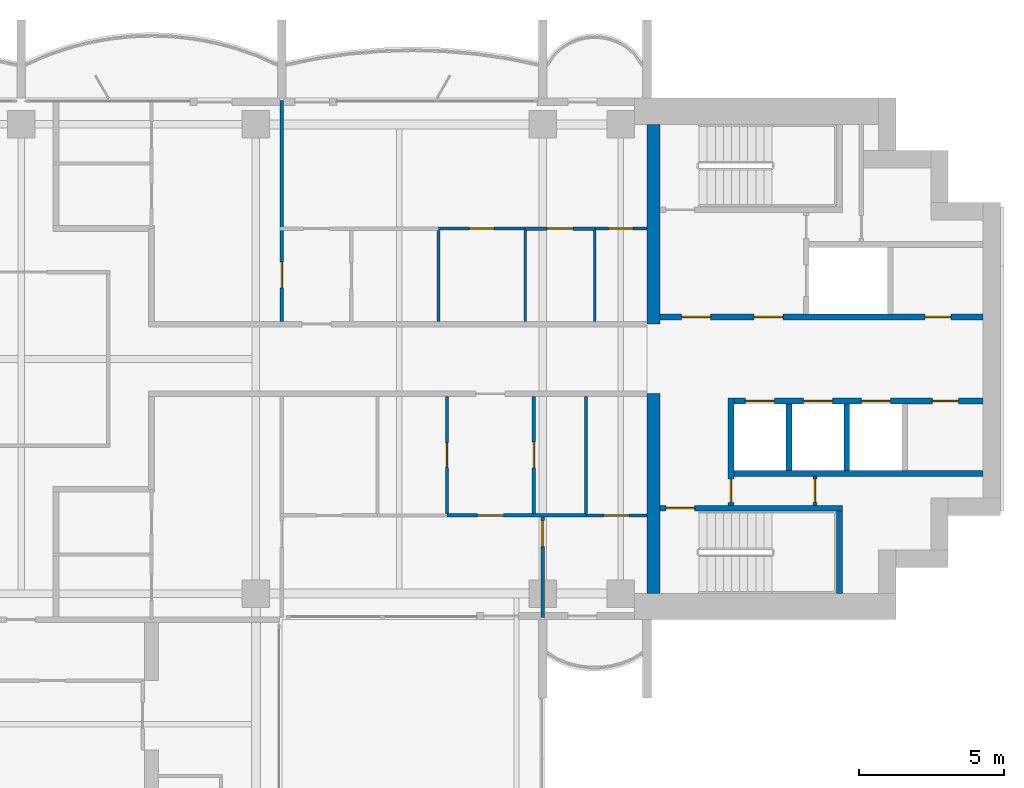
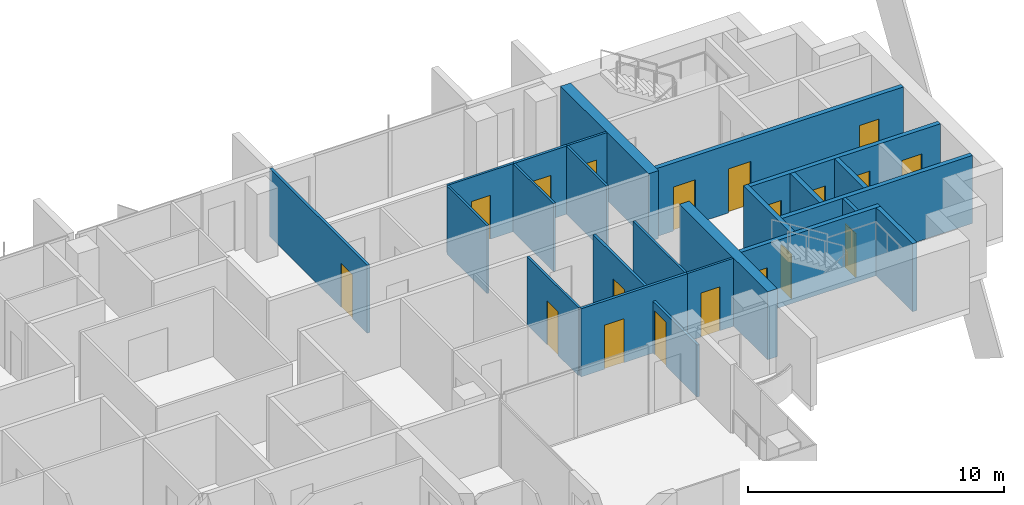
# One storey, part 12 of 18: 24 walls, 19 doors, 19 openings.
"""IFC4 building model written with IfcOpenShell, lengths in metres."""

import ifcopenshell
import ifcopenshell.guid

model = None  # the IFC model being written
_history = None  # IfcOwnerHistory: only IFC2X3 demands one
_inside = {}  # id of a spatial element -> (the spatial element, [elements in it])
_under = {}  # id of a project, library or spatial element -> (it, [spatial elements below it])
_declared = {}  # id of a project -> (the project, [libraries it declares])
_typed = {}  # id of a type object -> (the type object, [elements of that type])
_made_of = {}  # id of a material, layer set ... -> (it, [elements and type objects made of it])


def new_model(schema):
    """Start an empty IFC model of exactly this schema.

    Asked for "IFC4X3", IfcOpenShell would pick the latest addendum, in which some entities
    have other attributes; the version numbers below select the first issue.
    IFC2X3 requires an IfcOwnerHistory on every rooted entity: one is made here for all.
    """
    global model, _history
    if schema == "IFC4X3":
        model = ifcopenshell.file(schema_version=(4, 3, 0, 0))
    else:
        model = ifcopenshell.file(schema=schema)
    _inside.clear()
    _under.clear()
    _declared.clear()
    _typed.clear()
    _made_of.clear()
    _history = None
    if model.schema == "IFC2X3":
        org = make("IfcOrganization", Name="unknown")
        user = make(
            "IfcPersonAndOrganization",
            ThePerson=make("IfcPerson", FamilyName="unknown"),
            TheOrganization=org,
        )
        app = make(
            "IfcApplication",
            ApplicationDeveloper=org,
            Version="unknown",
            ApplicationFullName="unknown",
            ApplicationIdentifier="unknown",
        )
        _history = make(
            "IfcOwnerHistory",
            OwningUser=user,
            OwningApplication=app,
            ChangeAction="ADDED",
            CreationDate=0,
        )
    return model


def make(cls, **values):
    """One entity of the class cls with the attributes given. An attribute that is None is left unset."""
    return model.create_entity(
        cls, **{name: value for name, value in values.items() if value is not None}
    )


def rooted(cls, **values):
    """An entity with a GlobalId (a new one), such as an element, a storey or a relation."""
    return make(cls, GlobalId=ifcopenshell.guid.new(), OwnerHistory=_history, **values)


def si_unit(unit_type, name, prefix=None):
    """IfcSIUnit, for example si_unit("LENGTHUNIT", "METRE", prefix="MILLI")."""
    return make("IfcSIUnit", UnitType=unit_type, Prefix=prefix, Name=name)


def assignment(units):
    """IfcUnitAssignment: the units of a project."""
    return None if units is None else make("IfcUnitAssignment", Units=units)


def point(xyz):
    """IfcCartesianPoint."""
    return None if xyz is None else make("IfcCartesianPoint", Coordinates=xyz)


def direction(xyz):
    """IfcDirection."""
    return None if xyz is None else make("IfcDirection", DirectionRatios=xyz)


def frame(location, z_axis=None, x_axis=None):
    """IfcAxis2Placement3D, a coordinate frame: its origin and axes. An axis left out is left unset."""
    return make(
        "IfcAxis2Placement3D",
        Location=point(location),
        Axis=direction(z_axis),
        RefDirection=direction(x_axis),
    )


def frame_2d(location, x_axis=None):
    """IfcAxis2Placement2D, a coordinate frame in the plane: its origin and x axis."""
    return make(
        "IfcAxis2Placement2D", Location=point(location), RefDirection=direction(x_axis)
    )


def origin():
    """The frame at (0, 0, 0) with its axes left unset."""
    return frame((0.0, 0.0, 0.0))


def place(relative_to, where):
    """IfcLocalPlacement: puts the frame where relative to a parent placement (None: the world)."""
    return make(
        "IfcLocalPlacement", PlacementRelTo=relative_to, RelativePlacement=where
    )


def context(
    kind, dimensions, precision=None, world=None, true_north=None, identifier=None
):
    """IfcGeometricRepresentationContext, for example the 3D "Model" context."""
    return make(
        "IfcGeometricRepresentationContext",
        ContextIdentifier=identifier,
        ContextType=kind,
        CoordinateSpaceDimension=dimensions,
        Precision=precision,
        WorldCoordinateSystem=world,
        TrueNorth=true_north,
    )


def subcontext(parent, identifier, kind, view, scale=None):
    """IfcGeometricRepresentationSubContext, for example "Body" below "Model"."""
    return make(
        "IfcGeometricRepresentationSubContext",
        ContextIdentifier=identifier,
        ContextType=kind,
        ParentContext=parent,
        TargetScale=scale,
        TargetView=view,
    )


def project(units=None, contexts=None):
    """IfcProject with its units and contexts."""
    return rooted(
        "IfcProject",
        Name="project",
        RepresentationContexts=contexts,
        UnitsInContext=assignment(units),
    )


def spatial(cls, under=None, at=None, **own):
    """A site, building, storey or space (cls), placed at a placement, below another one or the project."""
    s = rooted(cls, ObjectPlacement=at, **own)
    if under is not None:
        _under.setdefault(under.id(), (under, []))[1].append(s)
    return s


def profile(cls, at=None, kind="AREA", **sizes):
    """A parametric profile (cls). Its sizes go by their IFC names, for example OverallWidth=200.0."""
    return make(cls, ProfileType=kind, Position=at, **sizes)


def rectangle(**sizes):
    """IfcRectangleProfileDef."""
    return profile("IfcRectangleProfileDef", **sizes)


def extrude(swept, where, along, depth):
    """IfcExtrudedAreaSolid: the profile swept, set in the frame where, extruded along a direction by depth."""
    return make(
        "IfcExtrudedAreaSolid",
        SweptArea=swept,
        Position=where,
        ExtrudedDirection=direction(along),
        Depth=depth,
    )


def shape(context_of_items, identifier, shape_type, items):
    """IfcShapeRepresentation: the items that make up one representation, for example the "Body"."""
    return make(
        "IfcShapeRepresentation",
        ContextOfItems=context_of_items,
        RepresentationIdentifier=identifier,
        RepresentationType=shape_type,
        Items=items,
    )


def material(Name=None, Category=None):
    """IfcMaterial."""
    return make("IfcMaterial", Name=Name, Category=Category)


def layer(
    of_material, thickness, ventilated=None, Name=None, Category=None, Priority=None
):
    """IfcMaterialLayer: one layer of a wall or slab, of a material (None: an air gap)."""
    return make(
        "IfcMaterialLayer",
        Material=of_material,
        LayerThickness=thickness,
        IsVentilated=ventilated,
        Name=Name,
        Category=Category,
        Priority=Priority,
    )


def layer_set(layers, Name=None):
    """IfcMaterialLayerSet."""
    return make("IfcMaterialLayerSet", MaterialLayers=layers, LayerSetName=Name)


def made_of(thing, what):
    """Note that an element or type object is made of a material, layer set ...; save() writes the relation."""
    if what is not None:
        _made_of.setdefault(what.id(), (what, []))[1].append(thing)
    return thing


def type_object(cls, material=None, **own):
    """A type object (cls), such as IfcWallType, which elements share."""
    return made_of(rooted(cls, **own), material)


def element(
    cls,
    number,
    at=None,
    inside=None,
    cuts=None,
    type_object=None,
    material=None,
    context=None,
    identifier="Body",
    shape_type=None,
    held_by="IfcProductDefinitionShape",
    body=None,
    shapes=None,
    **own,
):
    """One element of the class cls, such as IfcWall. Its Tag is "e" and its number.

    at: its placement. inside: the storey or other place that contains it. cuts: it is an
    opening in that element (IfcRelVoidsElement). A single representation is given by context,
    identifier, shape_type and body (its items); several are given by shapes. held_by: the class
    of the entity that holds the representations. save() writes the other relations.
    """
    e = rooted(cls, Tag="e%d" % number, ObjectPlacement=at, **own)
    if body is not None:
        shapes = [shape(context, identifier, shape_type, body)]
    if shapes is not None:
        e.Representation = make(held_by, Representations=shapes)
    if inside is not None:
        _inside.setdefault(inside.id(), (inside, []))[1].append(e)
    if cuts is not None:
        rooted(
            "IfcRelVoidsElement", RelatingBuildingElement=cuts, RelatedOpeningElement=e
        )
    if type_object is not None:
        _typed.setdefault(type_object.id(), (type_object, []))[1].append(e)
    return made_of(e, material)


def fill(opening, filler):
    """IfcRelFillsElement: the door or window that sits in an opening."""
    return rooted(
        "IfcRelFillsElement",
        RelatingOpeningElement=opening,
        RelatedBuildingElement=filler,
    )


def aggregate(whole, parts):
    """IfcRelAggregates: a whole, such as a stair, and the parts it consists of."""
    return rooted("IfcRelAggregates", RelatingObject=whole, RelatedObjects=parts)


def save(model, path):
    """Write the relations noted so far, then the file.

    IfcRelAggregates (storeys below a building ...), IfcRelContainedInSpatialStructure (elements
    in a storey), IfcRelDefinesByType, IfcRelAssociatesMaterial and IfcRelDeclares: one each for
    every whole, place, type object, material and project.
    """
    for whole, parts in _under.values():
        aggregate(whole, parts)
    for where, things in _inside.values():
        rooted(
            "IfcRelContainedInSpatialStructure",
            RelatedElements=things,
            RelatingStructure=where,
        )
    for kind, things in _typed.values():
        rooted("IfcRelDefinesByType", RelatedObjects=things, RelatingType=kind)
    for what, things in _made_of.values():
        rooted("IfcRelAssociatesMaterial", RelatedObjects=things, RelatingMaterial=what)
    for by, libraries in _declared.values():
        rooted("IfcRelDeclares", RelatingContext=by, RelatedDefinitions=libraries)
    model.write(path)


model = new_model("IFC4")

# Units and contexts
model_context = context("Model", 3, precision=1e-05, world=origin(), true_north=direction((0.0, 1.0)))
body_context = subcontext(model_context, "Body", "Model", "MODEL_VIEW")
ifc_project = project(units=[si_unit("LENGTHUNIT", "METRE"), si_unit("AREAUNIT", "SQUARE_METRE"), si_unit("VOLUMEUNIT", "CUBIC_METRE"), si_unit("PLANEANGLEUNIT", "RADIAN"), si_unit("MASSUNIT", "GRAM", prefix="KILO")], contexts=[model_context])

# Site, building, storey
site_placement = place(None, origin())
site = spatial("IfcSite", under=ifc_project, at=site_placement, CompositionType="ELEMENT")
building_placement = place(site_placement, origin())
building = spatial("IfcBuilding", under=site, at=building_placement, Name="Perihelion Cross Residences", CompositionType="ELEMENT")
storey_placement = place(building_placement, frame((0.0, 0.0, 215.60009765625)))
storey = spatial("IfcBuildingStorey", under=building, at=storey_placement, Name="L54", CompositionType="ELEMENT", Elevation=215.60009765625)

# Walls
ifc_material_1 = material(Name="Concrete C60/75", Category="concrete")
ifc_layer_1 = layer(ifc_material_1, 0.449951171875)
ifc_layer_set_1 = layer_set([ifc_layer_1], Name="Core wall, inner 450")
wall_type_1 = type_object("IfcWallType", Name="Core wall, inner 450", PredefinedType="SHEAR", material=ifc_layer_set_1)
for number, where, z_axis, x_axis, name in (
    (1, (21.824951171875, -8.10009765625, 0.0), (0.0, 0.0, 1.0), (0.0, 1.0, 0.0), "East core core wall, inner"),
    (2, (21.824951171875, 1.199951171875, 0.0), (0.0, 0.0, 1.0), (0.0, 1.0, 0.0), "East core core wall, inner"),
):
    element("IfcWall", number, at=place(storey_placement, frame(where, z_axis=z_axis, x_axis=x_axis)), inside=storey, type_object=wall_type_1, Name=name, PredefinedType="SHEAR", context=body_context, shape_type="SweptSolid", body=[
        extrude(rectangle(XDim=6.900146484375, YDim=0.449951171875, at=frame_2d((3.4501953125, 0.0))), origin(), (0.0, 0.0, 1.0), 3.25),
    ])

# Wall, opening, door
ifc_material_2 = material(Name="Concrete C50/60", Category="concrete")
ifc_layer_2 = layer(ifc_material_2, 0.199951171875)
ifc_layer_set_2 = layer_set([ifc_layer_2], Name="Lobby wall 200")
wall_type_2 = type_object("IfcWallType", Name="Lobby wall 200", PredefinedType="SOLIDWALL", material=ifc_layer_set_2)
wall_1_placement = place(storey_placement, frame((24.5, -5.050048828125, 0.0), z_axis=(0.0, 0.0, 1.0), x_axis=(0.0, 1.0, 0.0)))
wall_1 = element("IfcWall", 3, at=wall_1_placement, inside=storey, type_object=wall_type_2, Name="East core lobby wall", PredefinedType="SOLIDWALL", context=body_context, shape_type="SweptSolid", body=[
    extrude(rectangle(XDim=3.699951171875, YDim=0.199951171875, at=frame_2d((1.85009765625, 0.0))), origin(), (0.0, 0.0, 1.0), 3.25),
])
opening_1_placement = place(wall_1_placement, frame((0.10009765625, 0.0, 0.0)))
opening_1 = element("IfcOpeningElement", 4, at=opening_1_placement, cuts=wall_1, Name="Opening L54.C08", PredefinedType="OPENING", context=body_context, shape_type="SweptSolid", body=[
    extrude(rectangle(XDim=0.800048828125, YDim=2.10009765625, at=frame_2d((0.39990234375, 1.050048828125))), frame((0.0, 0.10986328125, 0.0), z_axis=(0.0, -1.0, 0.0), x_axis=(1.0, 0.0, 0.0)), (0.0, 0.0, 1.0), 0.219970703125),
])
ifc_material_3 = material(Name="Steel, powder coated", Category="steel")
door_type_1 = type_object("IfcDoorType", Name="Riser door 800", OperationType="SINGLE_SWING_LEFT", PredefinedType="DOOR", material=ifc_material_3)
door_1_placement = place(opening_1_placement, origin())
door_1 = element("IfcDoor", 5, at=door_1_placement, inside=storey, type_object=door_type_1, Name="East core riser door", OperationType="SINGLE_SWING_LEFT", OverallHeight=2.10009765625, OverallWidth=0.800048828125, PredefinedType="DOOR", context=body_context, shape_type="SweptSolid", body=[
    extrude(rectangle(XDim=0.800048828125, YDim=2.10009765625, at=frame_2d((0.39990234375, 1.050048828125))), frame((0.0, 0.02490234375, 0.0), z_axis=(0.0, -1.0, 0.0), x_axis=(1.0, 0.0, 0.0)), (0.0, 0.0, 1.0), 0.050048828125),
])
fill(opening_1, door_1)

ifc_material_4 = material(Name="Plasterboard partition")
ifc_layer_3 = layer(ifc_material_4, 0.1201171875)
ifc_layer_set_3 = layer_set([ifc_layer_3], Name="Partition wall 120")
wall_type_3 = type_object("IfcWallType", Name="Partition wall 120", PredefinedType="PARTITIONING", material=ifc_layer_set_3)
wall_2_placement = place(storey_placement, frame((9.0, 1.300048828125, 0.0), z_axis=(0.0, 0.0, 1.0), x_axis=(0.0, 1.0, 0.0)))
wall_2 = element("IfcWall", 6, at=wall_2_placement, inside=storey, type_object=wall_type_3, Name="Partition L54 W024", PredefinedType="PARTITIONING", context=body_context, shape_type="SweptSolid", body=[
    extrude(rectangle(XDim=7.619873046875, YDim=0.1201171875, at=frame_2d((3.81005859375, 0.0))), origin(), (0.0, 0.0, 1.0), 3.25),
])
opening_2_placement = place(wall_2_placement, frame((1.14990234375, 0.0, 0.0)))
opening_2 = element("IfcOpeningElement", 7, at=opening_2_placement, cuts=wall_2, Name="Opening L54.A05", PredefinedType="OPENING", context=body_context, shape_type="SweptSolid", body=[
    extrude(rectangle(XDim=0.89990234375, YDim=2.10009765625, at=frame_2d((0.449951171875, 1.050048828125))), frame((0.0, 0.070068359375, 0.0), z_axis=(0.0, -1.0, 0.0), x_axis=(1.0, 0.0, 0.0)), (0.0, 0.0, 1.0), 0.14013671875),
])
ifc_material_5 = material(Name="Timber door leaf", Category="wood")
door_type_2 = type_object("IfcDoorType", Name="Interior room door 900 x 2100", OperationType="SINGLE_SWING_LEFT", PredefinedType="DOOR", material=ifc_material_5)
door_2_placement = place(opening_2_placement, origin())
door_2 = element("IfcDoor", 8, at=door_2_placement, inside=storey, type_object=door_type_2, Name="Door L54.A05", OperationType="SINGLE_SWING_LEFT", OverallHeight=2.10009765625, OverallWidth=0.89990234375, PredefinedType="DOOR", context=body_context, shape_type="SweptSolid", body=[
    extrude(rectangle(XDim=0.89990234375, YDim=2.10009765625, at=frame_2d((0.449951171875, 1.050048828125))), frame((0.0, 0.02490234375, 0.0), z_axis=(0.0, -1.0, 0.0), x_axis=(1.0, 0.0, 0.0)), (0.0, 0.0, 1.0), 0.050048828125),
])
fill(opening_2, door_2)

wall_3_placement = place(storey_placement, frame((17.39990234375, 4.5, 0.0), z_axis=(0.0, 0.0, 1.0), x_axis=(1.0, 0.0, 0.0)))
wall_3 = element("IfcWall", 9, at=wall_3_placement, inside=storey, type_object=wall_type_3, Name="Partition L54 W029", PredefinedType="PARTITIONING", context=body_context, shape_type="SweptSolid", body=[
    extrude(rectangle(XDim=2.400146484375, YDim=0.1201171875, at=frame_2d((1.2001953125, 0.0))), origin(), (0.0, 0.0, 1.0), 3.25),
])
opening_3_placement = place(wall_3_placement, frame((0.75, 0.0, 0.0)))
opening_3 = element("IfcOpeningElement", 10, at=opening_3_placement, cuts=wall_3, Name="Opening L54.A09", PredefinedType="OPENING", context=body_context, shape_type="SweptSolid", body=[
    extrude(rectangle(XDim=0.89990234375, YDim=2.10009765625, at=frame_2d((0.449951171875, 1.050048828125))), frame((0.0, 0.070068359375, 0.0), z_axis=(0.0, -1.0, 0.0), x_axis=(1.0, 0.0, 0.0)), (0.0, 0.0, 1.0), 0.14013671875),
])
door_3_placement = place(opening_3_placement, origin())
door_3 = element("IfcDoor", 11, at=door_3_placement, inside=storey, type_object=door_type_2, Name="Door L54.A09", OperationType="SINGLE_SWING_RIGHT", OverallHeight=2.10009765625, OverallWidth=0.89990234375, PredefinedType="DOOR", context=body_context, shape_type="SweptSolid", body=[
    extrude(rectangle(XDim=0.89990234375, YDim=2.10009765625, at=frame_2d((0.449951171875, 1.050048828125))), frame((0.0, 0.02490234375, 0.0), z_axis=(0.0, -1.0, 0.0), x_axis=(1.0, 0.0, 0.0)), (0.0, 0.0, 1.0), 0.050048828125),
])
fill(opening_3, door_3)

wall_4_placement = place(storey_placement, frame((17.699951171875, -1.300048828125, 0.0), z_axis=(0.0, 0.0, 1.0), x_axis=(0.0, -1.0, 0.0)))
wall_4 = element("IfcWall", 12, at=wall_4_placement, inside=storey, type_object=wall_type_3, Name="Partition L54 W039", PredefinedType="PARTITIONING", context=body_context, shape_type="SweptSolid", body=[
    extrude(rectangle(XDim=4.0400390625, YDim=0.1201171875, at=frame_2d((2.02001953125, 0.0))), origin(), (0.0, 0.0, 1.0), 3.25),
])
opening_4_placement = place(wall_4_placement, frame((1.570068359375, 0.0, 0.0)))
opening_4 = element("IfcOpeningElement", 13, at=opening_4_placement, cuts=wall_4, Name="Opening L54.A16", PredefinedType="OPENING", context=body_context, shape_type="SweptSolid", body=[
    extrude(rectangle(XDim=0.89990234375, YDim=2.10009765625, at=frame_2d((0.449951171875, 1.050048828125))), frame((0.0, 0.070068359375, 0.0), z_axis=(0.0, -1.0, 0.0), x_axis=(1.0, 0.0, 0.0)), (0.0, 0.0, 1.0), 0.14013671875),
])
door_4_placement = place(opening_4_placement, origin())
door_4 = element("IfcDoor", 14, at=door_4_placement, inside=storey, type_object=door_type_2, Name="Door L54.A16", OperationType="SINGLE_SWING_RIGHT", OverallHeight=2.10009765625, OverallWidth=0.89990234375, PredefinedType="DOOR", context=body_context, shape_type="SweptSolid", body=[
    extrude(rectangle(XDim=0.89990234375, YDim=2.10009765625, at=frame_2d((0.449951171875, 1.050048828125))), frame((0.0, 0.02490234375, 0.0), z_axis=(0.0, -1.0, 0.0), x_axis=(1.0, 0.0, 0.0)), (0.0, 0.0, 1.0), 0.050048828125),
])
fill(opening_4, door_4)

wall_5_placement = place(storey_placement, frame((19.5, -5.39990234375, 0.0), z_axis=(0.0, 0.0, 1.0), x_axis=(-1.0, 0.0, 0.0)))
wall_5 = element("IfcWall", 15, at=wall_5_placement, inside=storey, type_object=wall_type_3, Name="Partition L54 W040", PredefinedType="PARTITIONING", context=body_context, shape_type="SweptSolid", body=[
    extrude(rectangle(XDim=4.800048828125, YDim=0.1201171875, at=frame_2d((2.39990234375, 0.0))), origin(), (0.0, 0.0, 1.0), 3.25),
])
opening_5_placement = place(wall_5_placement, frame((2.85009765625, 0.0, 0.0)))
opening_5 = element("IfcOpeningElement", 16, at=opening_5_placement, cuts=wall_5, Name="Opening L54.A15", PredefinedType="OPENING", context=body_context, shape_type="SweptSolid", body=[
    extrude(rectangle(XDim=0.89990234375, YDim=2.10009765625, at=frame_2d((0.449951171875, 1.050048828125))), frame((0.0, 0.070068359375, 0.0), z_axis=(0.0, -1.0, 0.0), x_axis=(1.0, 0.0, 0.0)), (0.0, 0.0, 1.0), 0.14013671875),
])
door_5_placement = place(opening_5_placement, origin())
door_5 = element("IfcDoor", 17, at=door_5_placement, inside=storey, type_object=door_type_2, Name="Door L54.A15", OperationType="SINGLE_SWING_LEFT", OverallHeight=2.10009765625, OverallWidth=0.89990234375, PredefinedType="DOOR", context=body_context, shape_type="SweptSolid", body=[
    extrude(rectangle(XDim=0.89990234375, YDim=2.10009765625, at=frame_2d((0.449951171875, 1.050048828125))), frame((0.0, 0.02490234375, 0.0), z_axis=(0.0, -1.0, 0.0), x_axis=(1.0, 0.0, 0.0)), (0.0, 0.0, 1.0), 0.050048828125),
])
fill(opening_5, door_5)

wall_6_placement = place(storey_placement, frame((18.0, -5.4599609375, 0.0), z_axis=(0.0, 0.0, 1.0), x_axis=(0.0, -1.0, 0.0)))
wall_6 = element("IfcWall", 18, at=wall_6_placement, inside=storey, type_object=wall_type_3, Name="Partition L54 W043", PredefinedType="PARTITIONING", context=body_context, shape_type="SweptSolid", body=[
    extrude(rectangle(XDim=3.4599609375, YDim=0.1201171875, at=frame_2d((1.72998046875, 0.0))), origin(), (0.0, 0.0, 1.0), 2.47998046875),
])
opening_6_placement = place(wall_6_placement, frame((0.1201171875, 0.0, 0.0)))
opening_6 = element("IfcOpeningElement", 19, at=opening_6_placement, cuts=wall_6, Name="Opening L54.A10", PredefinedType="OPENING", context=body_context, shape_type="SweptSolid", body=[
    extrude(rectangle(XDim=0.89990234375, YDim=2.10009765625, at=frame_2d((0.449951171875, 1.050048828125))), frame((0.0, 0.070068359375, 0.0), z_axis=(0.0, -1.0, 0.0), x_axis=(1.0, 0.0, 0.0)), (0.0, 0.0, 1.0), 0.14013671875),
])
door_6_placement = place(opening_6_placement, origin())
door_6 = element("IfcDoor", 20, at=door_6_placement, inside=storey, type_object=door_type_2, Name="Door L54.A10", OperationType="SINGLE_SWING_LEFT", OverallHeight=2.10009765625, OverallWidth=0.89990234375, PredefinedType="DOOR", context=body_context, shape_type="SweptSolid", body=[
    extrude(rectangle(XDim=0.89990234375, YDim=2.10009765625, at=frame_2d((0.449951171875, 1.050048828125))), frame((0.0, 0.02490234375, 0.0), z_axis=(0.0, -1.0, 0.0), x_axis=(1.0, 0.0, 0.0)), (0.0, 0.0, 1.0), 0.050048828125),
])
fill(opening_6, door_6)

ifc_material_6 = material(Name="Fire-rated board on steel stud", Category="steel")
ifc_layer_4 = layer(ifc_material_6, 0.14990234375)
ifc_layer_set_4 = layer_set([ifc_layer_4], Name="Riser wall 150")
wall_type_4 = type_object("IfcWallType", Name="Riser wall 150", PredefinedType="PARTITIONING", material=ifc_layer_set_4)
wall_7_placement = place(storey_placement, frame((27.39990234375, -5.050048828125, 0.0), z_axis=(0.0, 0.0, 1.0), x_axis=(0.0, 1.0, 0.0)))
wall_7 = element("IfcWall", 21, at=wall_7_placement, inside=storey, type_object=wall_type_4, Name="East core riser wall", PredefinedType="PARTITIONING", context=body_context, shape_type="SweptSolid", body=[
    extrude(rectangle(XDim=1.0, YDim=0.14990234375, at=frame_2d((0.5, 0.0))), origin(), (0.0, 0.0, 1.0), 3.25),
])
opening_7_placement = place(wall_7_placement, frame((0.10009765625, 0.0, 0.0)))
opening_7 = element("IfcOpeningElement", 22, at=opening_7_placement, cuts=wall_7, Name="Opening L54.C11", PredefinedType="OPENING", context=body_context, shape_type="SweptSolid", body=[
    extrude(rectangle(XDim=0.800048828125, YDim=2.10009765625, at=frame_2d((0.39990234375, 1.050048828125))), frame((0.0, 0.0849609375, 0.0), z_axis=(0.0, -1.0, 0.0), x_axis=(1.0, 0.0, 0.0)), (0.0, 0.0, 1.0), 0.169921875),
])
door_7_placement = place(opening_7_placement, origin())
door_7 = element("IfcDoor", 23, at=door_7_placement, inside=storey, type_object=door_type_1, Name="East core riser door", OperationType="SINGLE_SWING_LEFT", OverallHeight=2.10009765625, OverallWidth=0.800048828125, PredefinedType="DOOR", context=body_context, shape_type="SweptSolid", body=[
    extrude(rectangle(XDim=0.800048828125, YDim=2.10009765625, at=frame_2d((0.39990234375, 1.050048828125))), frame((0.0, 0.02490234375, 0.0), z_axis=(0.0, -1.0, 0.0), x_axis=(1.0, 0.0, 0.0)), (0.0, 0.0, 1.0), 0.050048828125),
])
fill(opening_7, door_7)

# Wall, openings, doors
ifc_material_7 = material(Name="Concrete C50/60", Category="concrete")
ifc_layer_5 = layer(ifc_material_7, 0.199951171875)
ifc_layer_set_5 = layer_set([ifc_layer_5], Name="Shaft wall 200")
wall_type_5 = type_object("IfcWallType", Name="Shaft wall 200", PredefinedType="SOLIDWALL", material=ifc_layer_set_5)
wall_8_placement = place(storey_placement, frame((22.050048828125, 1.449951171875, 0.0), z_axis=(0.0, 0.0, 1.0), x_axis=(1.0, 0.0, 0.0)))
wall_8 = element("IfcWall", 24, at=wall_8_placement, inside=storey, type_object=wall_type_5, Name="East core shaft wall", PredefinedType="SOLIDWALL", context=body_context, shape_type="SweptSolid", body=[
    extrude(rectangle(XDim=11.14990234375, YDim=0.199951171875, at=frame_2d((5.574951171875, 0.0))), origin(), (0.0, 0.0, 1.0), 3.25),
])
opening_8_placement = place(wall_8_placement, frame((0.75, 0.0, 0.0)))
opening_8 = element("IfcOpeningElement", 25, at=opening_8_placement, cuts=wall_8, Name="Opening L54.C07", PredefinedType="OPENING", context=body_context, shape_type="SweptSolid", body=[
    extrude(rectangle(XDim=1.0, YDim=2.10009765625, at=frame_2d((0.5, 1.050048828125))), frame((0.0, 0.10986328125, 0.0), z_axis=(0.0, -1.0, 0.0), x_axis=(1.0, 0.0, 0.0)), (0.0, 0.0, 1.0), 0.219970703125),
])
opening_9_placement = place(wall_8_placement, frame((3.25, 0.0, 0.0)))
opening_9 = element("IfcOpeningElement", 26, at=opening_9_placement, cuts=wall_8, Name="Opening L54.C09", PredefinedType="OPENING", context=body_context, shape_type="SweptSolid", body=[
    extrude(rectangle(XDim=1.0, YDim=2.10009765625, at=frame_2d((0.5, 1.050048828125))), frame((0.0, 0.10986328125, 0.0), z_axis=(0.0, -1.0, 0.0), x_axis=(1.0, 0.0, 0.0)), (0.0, 0.0, 1.0), 0.219970703125),
])
opening_10_placement = place(wall_8_placement, frame((9.14990234375, 0.0, 0.0)))
opening_10 = element("IfcOpeningElement", 27, at=opening_10_placement, cuts=wall_8, Name="Opening L54.C13", PredefinedType="OPENING", context=body_context, shape_type="SweptSolid", body=[
    extrude(rectangle(XDim=0.89990234375, YDim=2.10009765625, at=frame_2d((0.449951171875, 1.050048828125))), frame((0.0, 0.10986328125, 0.0), z_axis=(0.0, -1.0, 0.0), x_axis=(1.0, 0.0, 0.0)), (0.0, 0.0, 1.0), 0.219970703125),
])
ifc_material_8 = material(Name="Steel, powder coated", Category="steel")
door_type_3 = type_object("IfcDoorType", Name="Lobby door 1000", OperationType="SINGLE_SWING_LEFT", PredefinedType="DOOR", material=ifc_material_8)
door_8_placement = place(opening_8_placement, origin())
door_8 = element("IfcDoor", 28, at=door_8_placement, inside=storey, type_object=door_type_3, Name="East core firefighting lobby door", OperationType="SINGLE_SWING_LEFT", OverallHeight=2.10009765625, OverallWidth=1.0, PredefinedType="DOOR", context=body_context, shape_type="SweptSolid", body=[
    extrude(rectangle(XDim=1.0, YDim=2.10009765625, at=frame_2d((0.5, 1.050048828125))), frame((0.0, 0.02490234375, 0.0), z_axis=(0.0, -1.0, 0.0), x_axis=(1.0, 0.0, 0.0)), (0.0, 0.0, 1.0), 0.050048828125),
])
fill(opening_8, door_8)
door_9_placement = place(opening_9_placement, origin())
door_9 = element("IfcDoor", 29, at=door_9_placement, inside=storey, type_object=door_type_3, Name="East core firefighting lobby door", OperationType="SINGLE_SWING_LEFT", OverallHeight=2.10009765625, OverallWidth=1.0, PredefinedType="DOOR", context=body_context, shape_type="SweptSolid", body=[
    extrude(rectangle(XDim=1.0, YDim=2.10009765625, at=frame_2d((0.5, 1.050048828125))), frame((0.0, 0.02490234375, 0.0), z_axis=(0.0, -1.0, 0.0), x_axis=(1.0, 0.0, 0.0)), (0.0, 0.0, 1.0), 0.050048828125),
])
fill(opening_9, door_9)
ifc_material_9 = material(Name="Steel, powder coated", Category="steel")
door_type_4 = type_object("IfcDoorType", Name="Service room door 900", OperationType="SINGLE_SWING_LEFT", PredefinedType="DOOR", material=ifc_material_9)
door_10_placement = place(opening_10_placement, origin())
door_10 = element("IfcDoor", 30, at=door_10_placement, inside=storey, type_object=door_type_4, Name="East core service room door", OperationType="SINGLE_SWING_LEFT", OverallHeight=2.10009765625, OverallWidth=0.89990234375, PredefinedType="DOOR", context=body_context, shape_type="SweptSolid", body=[
    extrude(rectangle(XDim=0.89990234375, YDim=2.10009765625, at=frame_2d((0.449951171875, 1.050048828125))), frame((0.0, 0.02490234375, 0.0), z_axis=(0.0, -1.0, 0.0), x_axis=(1.0, 0.0, 0.0)), (0.0, 0.0, 1.0), 0.050048828125),
])
fill(opening_10, door_10)

wall_9_placement = place(storey_placement, frame((24.60009765625, -1.449951171875, 0.0), z_axis=(0.0, 0.0, 1.0), x_axis=(1.0, 0.0, 0.0)))
wall_9 = element("IfcWall", 31, at=wall_9_placement, inside=storey, type_object=wall_type_5, Name="East core shaft wall", PredefinedType="SOLIDWALL", context=body_context, shape_type="SweptSolid", body=[
    extrude(rectangle(XDim=8.599853515625, YDim=0.199951171875, at=frame_2d((4.2998046875, 0.0))), origin(), (0.0, 0.0, 1.0), 3.25),
])
opening_11_placement = place(wall_9_placement, frame((0.39990234375, 0.0, 0.0)))
opening_11 = element("IfcOpeningElement", 32, at=opening_11_placement, cuts=wall_9, Name="Opening L54.C01", PredefinedType="OPENING", context=body_context, shape_type="SweptSolid", body=[
    extrude(rectangle(XDim=1.0, YDim=2.10009765625, at=frame_2d((0.5, 1.050048828125))), frame((0.0, 0.10986328125, 0.0), z_axis=(0.0, -1.0, 0.0), x_axis=(1.0, 0.0, 0.0)), (0.0, 0.0, 1.0), 0.219970703125),
])
opening_12_placement = place(wall_9_placement, frame((2.39990234375, 0.0, 0.0)))
opening_12 = element("IfcOpeningElement", 33, at=opening_12_placement, cuts=wall_9, Name="Opening L54.C03", PredefinedType="OPENING", context=body_context, shape_type="SweptSolid", body=[
    extrude(rectangle(XDim=1.0, YDim=2.10009765625, at=frame_2d((0.5, 1.050048828125))), frame((0.0, 0.10986328125, 0.0), z_axis=(0.0, -1.0, 0.0), x_axis=(1.0, 0.0, 0.0)), (0.0, 0.0, 1.0), 0.219970703125),
])
opening_13_placement = place(wall_9_placement, frame((4.39990234375, 0.0, 0.0)))
opening_13 = element("IfcOpeningElement", 34, at=opening_13_placement, cuts=wall_9, Name="Opening L54.C04", PredefinedType="OPENING", context=body_context, shape_type="SweptSolid", body=[
    extrude(rectangle(XDim=1.0, YDim=2.10009765625, at=frame_2d((0.5, 1.050048828125))), frame((0.0, 0.10986328125, 0.0), z_axis=(0.0, -1.0, 0.0), x_axis=(1.0, 0.0, 0.0)), (0.0, 0.0, 1.0), 0.219970703125),
])
opening_14_placement = place(wall_9_placement, frame((6.85009765625, 0.0, 0.0)))
opening_14 = element("IfcOpeningElement", 35, at=opening_14_placement, cuts=wall_9, Name="Opening L54.C14", PredefinedType="OPENING", context=body_context, shape_type="SweptSolid", body=[
    extrude(rectangle(XDim=0.89990234375, YDim=2.10009765625, at=frame_2d((0.449951171875, 1.050048828125))), frame((0.0, 0.10986328125, 0.0), z_axis=(0.0, -1.0, 0.0), x_axis=(1.0, 0.0, 0.0)), (0.0, 0.0, 1.0), 0.219970703125),
])
ifc_material_10 = material(Name="Stainless steel", Category="steel")
door_type_5 = type_object("IfcDoorType", Name="Landing door 1000", OperationType="DOUBLE_DOOR_SLIDING", PredefinedType="DOOR", material=ifc_material_10)
door_11_placement = place(opening_11_placement, origin())
door_11 = element("IfcDoor", 36, at=door_11_placement, inside=storey, type_object=door_type_5, Name="Landing door, East core high-rise lift 1", OperationType="DOUBLE_DOOR_SLIDING", OverallHeight=2.10009765625, OverallWidth=1.0, PredefinedType="DOOR", context=body_context, shape_type="SweptSolid", body=[
    extrude(rectangle(XDim=1.0, YDim=2.10009765625, at=frame_2d((0.5, 1.050048828125))), frame((0.0, 0.02490234375, 0.0), z_axis=(0.0, -1.0, 0.0), x_axis=(1.0, 0.0, 0.0)), (0.0, 0.0, 1.0), 0.050048828125),
])
fill(opening_11, door_11)
door_12_placement = place(opening_12_placement, origin())
door_12 = element("IfcDoor", 37, at=door_12_placement, inside=storey, type_object=door_type_5, Name="Landing door, East core high-rise lift 2", OperationType="DOUBLE_DOOR_SLIDING", OverallHeight=2.10009765625, OverallWidth=1.0, PredefinedType="DOOR", context=body_context, shape_type="SweptSolid", body=[
    extrude(rectangle(XDim=1.0, YDim=2.10009765625, at=frame_2d((0.5, 1.050048828125))), frame((0.0, 0.02490234375, 0.0), z_axis=(0.0, -1.0, 0.0), x_axis=(1.0, 0.0, 0.0)), (0.0, 0.0, 1.0), 0.050048828125),
])
fill(opening_12, door_12)
door_13_placement = place(opening_13_placement, origin())
door_13 = element("IfcDoor", 38, at=door_13_placement, inside=storey, type_object=door_type_5, Name="Landing door, East core high-rise lift 3", OperationType="DOUBLE_DOOR_SLIDING", OverallHeight=2.10009765625, OverallWidth=1.0, PredefinedType="DOOR", context=body_context, shape_type="SweptSolid", body=[
    extrude(rectangle(XDim=1.0, YDim=2.10009765625, at=frame_2d((0.5, 1.050048828125))), frame((0.0, 0.02490234375, 0.0), z_axis=(0.0, -1.0, 0.0), x_axis=(1.0, 0.0, 0.0)), (0.0, 0.0, 1.0), 0.050048828125),
])
fill(opening_13, door_13)
door_14_placement = place(opening_14_placement, origin())
door_14 = element("IfcDoor", 39, at=door_14_placement, inside=storey, type_object=door_type_4, Name="East core service room door", OperationType="SINGLE_SWING_LEFT", OverallHeight=2.10009765625, OverallWidth=0.89990234375, PredefinedType="DOOR", context=body_context, shape_type="SweptSolid", body=[
    extrude(rectangle(XDim=0.89990234375, YDim=2.10009765625, at=frame_2d((0.449951171875, 1.050048828125))), frame((0.0, 0.02490234375, 0.0), z_axis=(0.0, -1.0, 0.0), x_axis=(1.0, 0.0, 0.0)), (0.0, 0.0, 1.0), 0.050048828125),
])
fill(opening_14, door_14)

# Walls
wall_10_placement = place(storey_placement, frame((24.60009765625, -3.949951171875, 0.0), z_axis=(0.0, 0.0, 1.0), x_axis=(1.0, 0.0, 0.0)))
element("IfcWall", 40, at=wall_10_placement, inside=storey, type_object=wall_type_5, Name="East core shaft wall", PredefinedType="SOLIDWALL", context=body_context, shape_type="SweptSolid", body=[
    extrude(rectangle(XDim=8.599853515625, YDim=0.199951171875, at=frame_2d((4.2998046875, 0.0))), origin(), (0.0, 0.0, 1.0), 3.25),
])
for number, where, z_axis, x_axis, name in (
    (41, (26.5, -3.85009765625, 0.0), (0.0, 0.0, 1.0), (0.0, 1.0, 0.0), "East core shaft wall"),
    (42, (28.5, -3.85009765625, 0.0), (0.0, 0.0, 1.0), (0.0, 1.0, 0.0), "East core shaft wall"),
):
    element("IfcWall", number, at=place(storey_placement, frame(where, z_axis=z_axis, x_axis=x_axis)), inside=storey, type_object=wall_type_5, Name=name, PredefinedType="SOLIDWALL", context=body_context, shape_type="SweptSolid", body=[
        extrude(rectangle(XDim=2.300048828125, YDim=0.199951171875, at=frame_2d((1.14990234375, 0.0))), origin(), (0.0, 0.0, 1.0), 3.25),
    ])

# Wall, opening, door
ifc_material_11 = material(Name="Concrete C50/60", Category="concrete")
ifc_layer_6 = layer(ifc_material_11, 0.199951171875)
ifc_layer_set_6 = layer_set([ifc_layer_6], Name="Stair wall 200")
wall_type_6 = type_object("IfcWallType", Name="Stair wall 200", PredefinedType="SOLIDWALL", material=ifc_layer_set_6)
wall_11_placement = place(storey_placement, frame((22.050048828125, -5.14990234375, 0.0), z_axis=(0.0, 0.0, 1.0), x_axis=(1.0, 0.0, 0.0)))
wall_11 = element("IfcWall", 43, at=wall_11_placement, inside=storey, type_object=wall_type_6, Name="East core stair wall", PredefinedType="SOLIDWALL", context=body_context, shape_type="SweptSolid", body=[
    extrude(rectangle(XDim=6.300048828125, YDim=0.199951171875, at=frame_2d((3.14990234375, 0.0))), origin(), (0.0, 0.0, 1.0), 3.25),
])
opening_15_placement = place(wall_11_placement, frame((0.199951171875, 0.0, 0.0)))
opening_15 = element("IfcOpeningElement", 44, at=opening_15_placement, cuts=wall_11, Name="Opening L54.C05", PredefinedType="OPENING", context=body_context, shape_type="SweptSolid", body=[
    extrude(rectangle(XDim=1.0, YDim=2.10009765625, at=frame_2d((0.5, 1.050048828125))), frame((0.0, 0.10986328125, 0.0), z_axis=(0.0, -1.0, 0.0), x_axis=(1.0, 0.0, 0.0)), (0.0, 0.0, 1.0), 0.219970703125),
])
ifc_material_12 = material(Name="Steel, powder coated", Category="steel")
door_type_6 = type_object("IfcDoorType", Name="Stair door 1000", OperationType="SINGLE_SWING_LEFT", PredefinedType="DOOR", material=ifc_material_12)
door_15_placement = place(opening_15_placement, origin())
door_15 = element("IfcDoor", 45, at=door_15_placement, inside=storey, type_object=door_type_6, Name="East core stair door", OperationType="SINGLE_SWING_LEFT", OverallHeight=2.10009765625, OverallWidth=1.0, PredefinedType="DOOR", context=body_context, shape_type="SweptSolid", body=[
    extrude(rectangle(XDim=1.0, YDim=2.10009765625, at=frame_2d((0.5, 1.050048828125))), frame((0.0, 0.02490234375, 0.0), z_axis=(0.0, -1.0, 0.0), x_axis=(1.0, 0.0, 0.0)), (0.0, 0.0, 1.0), 0.050048828125),
])
fill(opening_15, door_15)

# Walls
wall_12_placement = place(storey_placement, frame((28.25, -8.10009765625, 0.0), z_axis=(0.0, 0.0, 1.0), x_axis=(0.0, 1.0, 0.0)))
element("IfcWall", 46, at=wall_12_placement, inside=storey, type_object=wall_type_6, Name="East core stair wall", PredefinedType="SOLIDWALL", context=body_context, shape_type="SweptSolid", body=[
    extrude(rectangle(XDim=2.85009765625, YDim=0.199951171875, at=frame_2d((1.425048828125, 0.0))), origin(), (0.0, 0.0, 1.0), 3.25),
])
ifc_material_13 = material(Name="Plasterboard partition")
ifc_layer_7 = layer(ifc_material_13, 0.10009765625)
ifc_layer_set_7 = layer_set([ifc_layer_7], Name="Wet room wall 100")
wall_type_7 = type_object("IfcWallType", Name="Wet room wall 100", PredefinedType="PARTITIONING", material=ifc_layer_set_7)
for number, where, z_axis, x_axis, name in (
    (47, (14.39990234375, 4.43994140625, 0.0), (0.0, 0.0, 1.0), (0.0, -1.0, 0.0), "Partition L54 W025"),
    (48, (17.39990234375, 4.43994140625, 0.0), (0.0, 0.0, 1.0), (0.0, -1.0, 0.0), "Partition L54 W026"),
):
    element("IfcWall", number, at=place(storey_placement, frame(where, z_axis=z_axis, x_axis=x_axis)), inside=storey, type_object=wall_type_7, Name=name, PredefinedType="PARTITIONING", context=body_context, shape_type="SweptSolid", body=[
        extrude(rectangle(XDim=3.139892578125, YDim=0.10009765625, at=frame_2d((1.56982421875, 0.0))), origin(), (0.0, 0.0, 1.0), 3.25),
    ])

# Wall, opening, door
wall_13_placement = place(storey_placement, frame((14.39990234375, 4.5, 0.0), z_axis=(0.0, 0.0, 1.0), x_axis=(1.0, 0.0, 0.0)))
wall_13 = element("IfcWall", 49, at=wall_13_placement, inside=storey, type_object=wall_type_7, Name="Partition L54 W027", PredefinedType="PARTITIONING", context=body_context, shape_type="SweptSolid", body=[
    extrude(rectangle(XDim=3.0, YDim=0.10009765625, at=frame_2d((1.5, 0.0))), origin(), (0.0, 0.0, 1.0), 3.25),
])
opening_16_placement = place(wall_13_placement, frame((1.074951171875, 0.0, 0.0)))
opening_16 = element("IfcOpeningElement", 50, at=opening_16_placement, cuts=wall_13, Name="Opening L54.A02", PredefinedType="OPENING", context=body_context, shape_type="SweptSolid", body=[
    extrude(rectangle(XDim=0.85009765625, YDim=2.10009765625, at=frame_2d((0.425048828125, 1.050048828125))), frame((0.0, 0.06005859375, 0.0), z_axis=(0.0, -1.0, 0.0), x_axis=(1.0, 0.0, 0.0)), (0.0, 0.0, 1.0), 0.1201171875),
])
ifc_material_14 = material(Name="Timber door leaf", Category="wood")
door_type_7 = type_object("IfcDoorType", Name="Interior bathroom door 850 x 2100", OperationType="SINGLE_SWING_LEFT", PredefinedType="DOOR", material=ifc_material_14)
door_16_placement = place(opening_16_placement, origin())
door_16 = element("IfcDoor", 51, at=door_16_placement, inside=storey, type_object=door_type_7, Name="Door L54.A02", OperationType="SINGLE_SWING_LEFT", OverallHeight=2.10009765625, OverallWidth=0.85009765625, PredefinedType="DOOR", context=body_context, shape_type="SweptSolid", body=[
    extrude(rectangle(XDim=0.85009765625, YDim=2.10009765625, at=frame_2d((0.425048828125, 1.050048828125))), frame((0.0, 0.02490234375, 0.0), z_axis=(0.0, -1.0, 0.0), x_axis=(1.0, 0.0, 0.0)), (0.0, 0.0, 1.0), 0.050048828125),
])
fill(opening_16, door_16)

# Wall
wall_14_placement = place(storey_placement, frame((19.800048828125, 4.43994140625, 0.0), z_axis=(0.0, 0.0, 1.0), x_axis=(0.0, -1.0, 0.0)))
element("IfcWall", 52, at=wall_14_placement, inside=storey, type_object=wall_type_7, Name="Partition L54 W028", PredefinedType="PARTITIONING", context=body_context, shape_type="SweptSolid", body=[
    extrude(rectangle(XDim=3.139892578125, YDim=0.10009765625, at=frame_2d((1.56982421875, 0.0))), origin(), (0.0, 0.0, 1.0), 3.25),
])

# Wall, opening, door
wall_15_placement = place(storey_placement, frame((19.800048828125, 4.5, 0.0), z_axis=(0.0, 0.0, 1.0), x_axis=(1.0, 0.0, 0.0)))
wall_15 = element("IfcWall", 53, at=wall_15_placement, inside=storey, type_object=wall_type_7, Name="Partition L54 W030", PredefinedType="PARTITIONING", context=body_context, shape_type="SweptSolid", body=[
    extrude(rectangle(XDim=1.800048828125, YDim=0.10009765625, at=frame_2d((0.89990234375, 0.0))), origin(), (0.0, 0.0, 1.0), 3.25),
])
opening_17_placement = place(wall_15_placement, frame((0.47509765625, 0.0, 0.0)))
opening_17 = element("IfcOpeningElement", 54, at=opening_17_placement, cuts=wall_15, Name="Opening L54.A07", PredefinedType="OPENING", context=body_context, shape_type="SweptSolid", body=[
    extrude(rectangle(XDim=0.85009765625, YDim=2.10009765625, at=frame_2d((0.425048828125, 1.050048828125))), frame((0.0, 0.06005859375, 0.0), z_axis=(0.0, -1.0, 0.0), x_axis=(1.0, 0.0, 0.0)), (0.0, 0.0, 1.0), 0.1201171875),
])
door_17_placement = place(opening_17_placement, origin())
door_17 = element("IfcDoor", 55, at=door_17_placement, inside=storey, type_object=door_type_7, Name="Door L54.A07", OperationType="SINGLE_SWING_LEFT", OverallHeight=2.10009765625, OverallWidth=0.85009765625, PredefinedType="DOOR", context=body_context, shape_type="SweptSolid", body=[
    extrude(rectangle(XDim=0.85009765625, YDim=2.10009765625, at=frame_2d((0.425048828125, 1.050048828125))), frame((0.0, 0.02490234375, 0.0), z_axis=(0.0, -1.0, 0.0), x_axis=(1.0, 0.0, 0.0)), (0.0, 0.0, 1.0), 0.050048828125),
])
fill(opening_17, door_17)

wall_16_placement = place(storey_placement, frame((14.699951171875, -1.300048828125, 0.0), z_axis=(0.0, 0.0, 1.0), x_axis=(0.0, -1.0, 0.0)))
wall_16 = element("IfcWall", 56, at=wall_16_placement, inside=storey, type_object=wall_type_7, Name="Partition L54 W037", PredefinedType="PARTITIONING", context=body_context, shape_type="SweptSolid", body=[
    extrude(rectangle(XDim=4.0400390625, YDim=0.10009765625, at=frame_2d((2.02001953125, 0.0))), origin(), (0.0, 0.0, 1.0), 3.25),
])
opening_18_placement = place(wall_16_placement, frame((1.594970703125, 0.0, 0.0)))
opening_18 = element("IfcOpeningElement", 57, at=opening_18_placement, cuts=wall_16, Name="Opening L54.A18", PredefinedType="OPENING", context=body_context, shape_type="SweptSolid", body=[
    extrude(rectangle(XDim=0.85009765625, YDim=2.10009765625, at=frame_2d((0.425048828125, 1.050048828125))), frame((0.0, 0.06005859375, 0.0), z_axis=(0.0, -1.0, 0.0), x_axis=(1.0, 0.0, 0.0)), (0.0, 0.0, 1.0), 0.1201171875),
])
door_18_placement = place(opening_18_placement, origin())
door_18 = element("IfcDoor", 58, at=door_18_placement, inside=storey, type_object=door_type_7, Name="Door L54.A18", OperationType="SINGLE_SWING_RIGHT", OverallHeight=2.10009765625, OverallWidth=0.85009765625, PredefinedType="DOOR", context=body_context, shape_type="SweptSolid", body=[
    extrude(rectangle(XDim=0.85009765625, YDim=2.10009765625, at=frame_2d((0.425048828125, 1.050048828125))), frame((0.0, 0.02490234375, 0.0), z_axis=(0.0, -1.0, 0.0), x_axis=(1.0, 0.0, 0.0)), (0.0, 0.0, 1.0), 0.050048828125),
])
fill(opening_18, door_18)

# Wall
wall_17_placement = place(storey_placement, frame((19.5, -1.300048828125, 0.0), z_axis=(0.0, 0.0, 1.0), x_axis=(0.0, -1.0, 0.0)))
element("IfcWall", 59, at=wall_17_placement, inside=storey, type_object=wall_type_7, Name="Partition L54 W041", PredefinedType="PARTITIONING", context=body_context, shape_type="SweptSolid", body=[
    extrude(rectangle(XDim=4.0400390625, YDim=0.10009765625, at=frame_2d((2.02001953125, 0.0))), origin(), (0.0, 0.0, 1.0), 3.25),
])

# Wall, opening, door
wall_18_placement = place(storey_placement, frame((21.60009765625, -5.39990234375, 0.0), z_axis=(0.0, 0.0, 1.0), x_axis=(-1.0, 0.0, 0.0)))
wall_18 = element("IfcWall", 60, at=wall_18_placement, inside=storey, type_object=wall_type_7, Name="Partition L54 W042", PredefinedType="PARTITIONING", context=body_context, shape_type="SweptSolid", body=[
    extrude(rectangle(XDim=2.10009765625, YDim=0.10009765625, at=frame_2d((1.050048828125, 0.0))), origin(), (0.0, 0.0, 1.0), 3.25),
])
opening_19_placement = place(wall_18_placement, frame((0.625, 0.0, 0.0)))
opening_19 = element("IfcOpeningElement", 61, at=opening_19_placement, cuts=wall_18, Name="Opening L54.A11", PredefinedType="OPENING", context=body_context, shape_type="SweptSolid", body=[
    extrude(rectangle(XDim=0.85009765625, YDim=2.10009765625, at=frame_2d((0.425048828125, 1.050048828125))), frame((0.0, 0.06005859375, 0.0), z_axis=(0.0, -1.0, 0.0), x_axis=(1.0, 0.0, 0.0)), (0.0, 0.0, 1.0), 0.1201171875),
])
door_19_placement = place(opening_19_placement, origin())
door_19 = element("IfcDoor", 62, at=door_19_placement, inside=storey, type_object=door_type_7, Name="Door L54.A11", OperationType="SINGLE_SWING_LEFT", OverallHeight=2.10009765625, OverallWidth=0.85009765625, PredefinedType="DOOR", context=body_context, shape_type="SweptSolid", body=[
    extrude(rectangle(XDim=0.85009765625, YDim=2.10009765625, at=frame_2d((0.425048828125, 1.050048828125))), frame((0.0, 0.02490234375, 0.0), z_axis=(0.0, -1.0, 0.0), x_axis=(1.0, 0.0, 0.0)), (0.0, 0.0, 1.0), 0.050048828125),
])
fill(opening_19, door_19)

save(model, "model.ifc")
